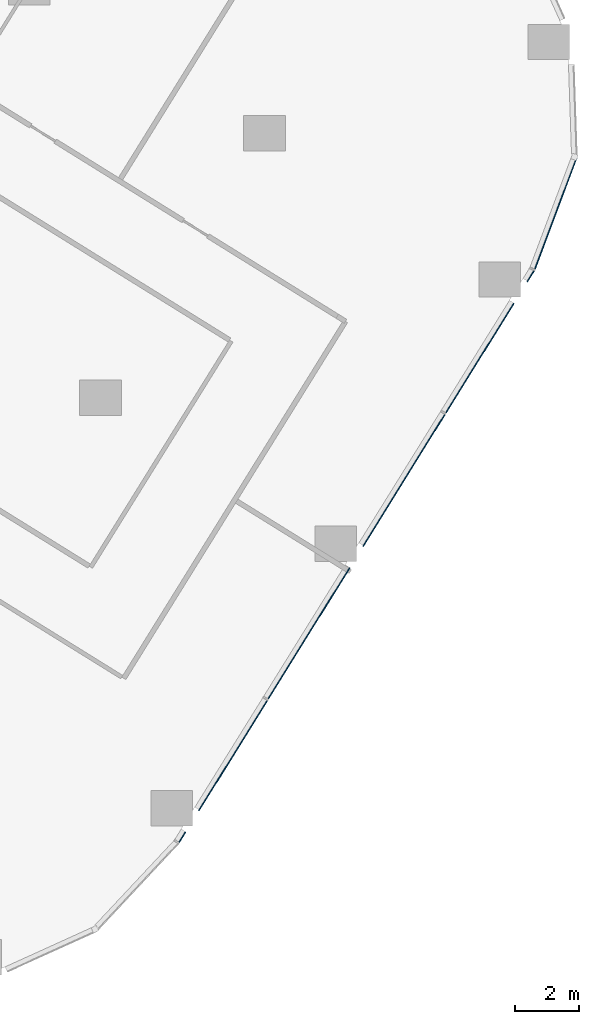
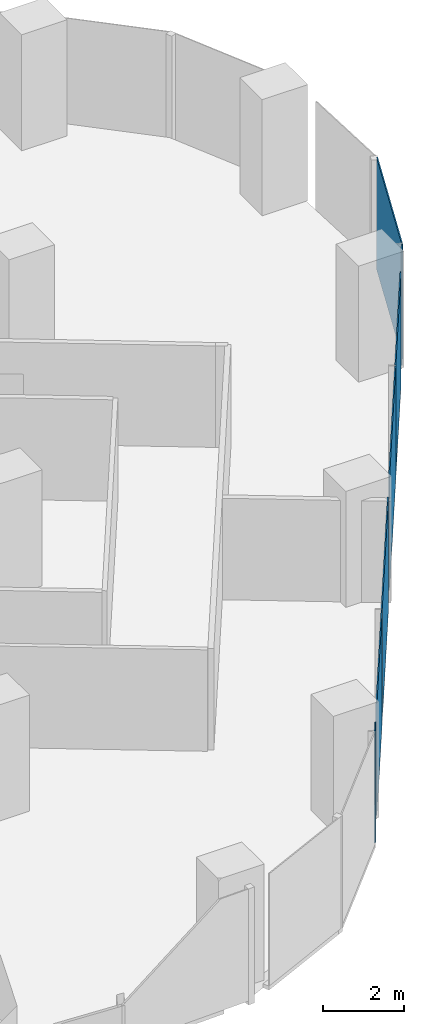
# One storey, part 22 of 34: 7 plates, 2 elements without a shape of their own.
"""IFC4 building model written with IfcOpenShell, lengths in metres."""

from ifc_helpers import new_model, si_unit, direction, frame, origin, origin_2d, place, context, subcontext, project, spatial, rectangle, extrude, material, layer, layer_set, type_object, element, aggregate, save


model = new_model("IFC4")

# Units and contexts
model_context = context("Model", 3, precision=1e-05, world=origin(), true_north=direction((0.0, 1.0)))
body_context = subcontext(model_context, "Body", "Model", "MODEL_VIEW")
ifc_project = project(units=[si_unit("LENGTHUNIT", "METRE"), si_unit("AREAUNIT", "SQUARE_METRE"), si_unit("VOLUMEUNIT", "CUBIC_METRE"), si_unit("PLANEANGLEUNIT", "RADIAN"), si_unit("MASSUNIT", "GRAM", prefix="KILO")], contexts=[model_context])

# Site, building, storey
site_placement = place(None, origin())
site = spatial("IfcSite", under=ifc_project, at=site_placement, CompositionType="ELEMENT")
building_placement = place(site_placement, origin())
building = spatial("IfcBuilding", under=site, at=building_placement, Name="Orlundy Tower", CompositionType="ELEMENT")
storey_placement = place(building_placement, frame((0.0, 0.0, 44.300048828125)))
storey = spatial("IfcBuildingStorey", under=building, at=storey_placement, Name="L09", CompositionType="ELEMENT", Elevation=44.300048828125)

# Curtain wall, plate
ifc_material_1 = material(Name="Aluminium bronze anodised", Category="aluminium")
curtain_wall_type = type_object("IfcCurtainWallType", Name="CW1 wall", PredefinedType="NOTDEFINED", material=ifc_material_1)
curtain_wall_1_placement = place(storey_placement, origin())
curtain_wall_1 = element("IfcCurtainWall", 1, at=curtain_wall_1_placement, inside=storey, type_object=curtain_wall_type, Name="CW1 run 010", PredefinedType="NOTDEFINED")
ifc_material_2 = material(Name="Tinted glass", Category="glass")
ifc_layer = layer(ifc_material_2, 0.031982421875)
ifc_layer_set = layer_set([ifc_layer], Name="CW1 glass panel 32")
plate_type = type_object("IfcPlateType", Name="CW1 glass panel 32", PredefinedType="CURTAIN_PANEL", material=ifc_layer_set)
plate_1_placement = place(storey_placement, frame((56.9013671875, -20.76611328125, -0.300048828125), z_axis=(0.0, 0.0, 1.0), x_axis=(-0.351537332791, -0.936173864009, 0.0)))
plate_1 = element("IfcPlate", 2, at=plate_1_placement, type_object=plate_type, Name="CW1 panel", PredefinedType="CURTAIN_PANEL", context=body_context, shape_type="SweptSolid", body=[
    extrude(rectangle(XDim=3.730224609375, YDim=0.031982421875, at=origin_2d()), origin(), (0.0, 0.0, 1.0), 3.3798828125),
])
aggregate(curtain_wall_1, [plate_1])

# Curtain wall, plates
curtain_wall_2_placement = place(storey_placement, origin())
curtain_wall_2 = element("IfcCurtainWall", 3, at=curtain_wall_2_placement, inside=storey, type_object=curtain_wall_type, Name="CW1 run 011", PredefinedType="NOTDEFINED")
plate_2_placement = place(storey_placement, frame((56.115234375, -22.7314453125, -0.300048828125), z_axis=(0.0, 0.0, 1.0), x_axis=(-0.527475466848, -0.849570263059, 0.0)))
plate_2 = element("IfcPlate", 4, at=plate_2_placement, type_object=plate_type, Name="CW1 panel", PredefinedType="CURTAIN_PANEL", context=body_context, shape_type="SweptSolid", body=[
    extrude(rectangle(XDim=0.41064453125, YDim=0.031982421875, at=origin_2d()), origin(), (0.0, 0.0, 1.0), 3.3798828125),
])
plate_3_placement = place(storey_placement, frame((54.53173828125, -25.2822265625, -0.300048828125), z_axis=(0.0, 0.0, 1.0), x_axis=(-0.527475466848, -0.849570263059, 0.0)))
plate_3 = element("IfcPlate", 5, at=plate_3_placement, type_object=plate_type, Name="CW1 panel", PredefinedType="CURTAIN_PANEL", context=body_context, shape_type="SweptSolid", body=[
    extrude(rectangle(XDim=4.016845703125, YDim=0.031982421875, at=origin_2d()), origin(), (0.0, 0.0, 1.0), 3.3798828125),
])
plate_4_placement = place(storey_placement, frame((52.16845703125, -29.08837890625, -0.300048828125), z_axis=(0.0, 0.0, 1.0), x_axis=(-0.527475466848, -0.849570263059, 0.0)))
plate_4 = element("IfcPlate", 6, at=plate_4_placement, type_object=plate_type, Name="CW1 panel", PredefinedType="CURTAIN_PANEL", context=body_context, shape_type="SweptSolid", body=[
    extrude(rectangle(XDim=4.843505859375, YDim=0.031982421875, at=origin_2d()), origin(), (0.0, 0.0, 1.0), 3.3798828125),
])
plate_5_placement = place(storey_placement, frame((49.2041015625, -33.863037109375, -0.300048828125), z_axis=(0.0, 0.0, 1.0), x_axis=(-0.527475466848, -0.849570263059, 0.0)))
plate_5 = element("IfcPlate", 7, at=plate_5_placement, type_object=plate_type, Name="CW1 panel", PredefinedType="CURTAIN_PANEL", context=body_context, shape_type="SweptSolid", body=[
    extrude(rectangle(XDim=4.816650390625, YDim=0.031982421875, at=origin_2d()), origin(), (0.0, 0.0, 1.0), 3.3798828125),
])
plate_6_placement = place(storey_placement, frame((46.840576171875, -37.66943359375, -0.300048828125), z_axis=(0.0, 0.0, 1.0), x_axis=(-0.527475466848, -0.849570263059, 0.0)))
plate_6 = element("IfcPlate", 8, at=plate_6_placement, type_object=plate_type, Name="CW1 panel", PredefinedType="CURTAIN_PANEL", context=body_context, shape_type="SweptSolid", body=[
    extrude(rectangle(XDim=4.04443359375, YDim=0.031982421875, at=origin_2d()), origin(), (0.0, 0.0, 1.0), 3.3798828125),
])
plate_7_placement = place(storey_placement, frame((45.2568359375, -40.220458984375, -0.300048828125), z_axis=(0.0, 0.0, 1.0), x_axis=(-0.527475466848, -0.849570263059, 0.0)))
plate_7 = element("IfcPlate", 9, at=plate_7_placement, type_object=plate_type, Name="CW1 panel", PredefinedType="CURTAIN_PANEL", context=body_context, shape_type="SweptSolid", body=[
    extrude(rectangle(XDim=0.38232421875, YDim=0.031982421875, at=origin_2d()), origin(), (0.0, 0.0, 1.0), 3.3798828125),
])
aggregate(curtain_wall_2, [plate_2, plate_3, plate_4, plate_5, plate_6, plate_7])

save(model, "model.ifc")
